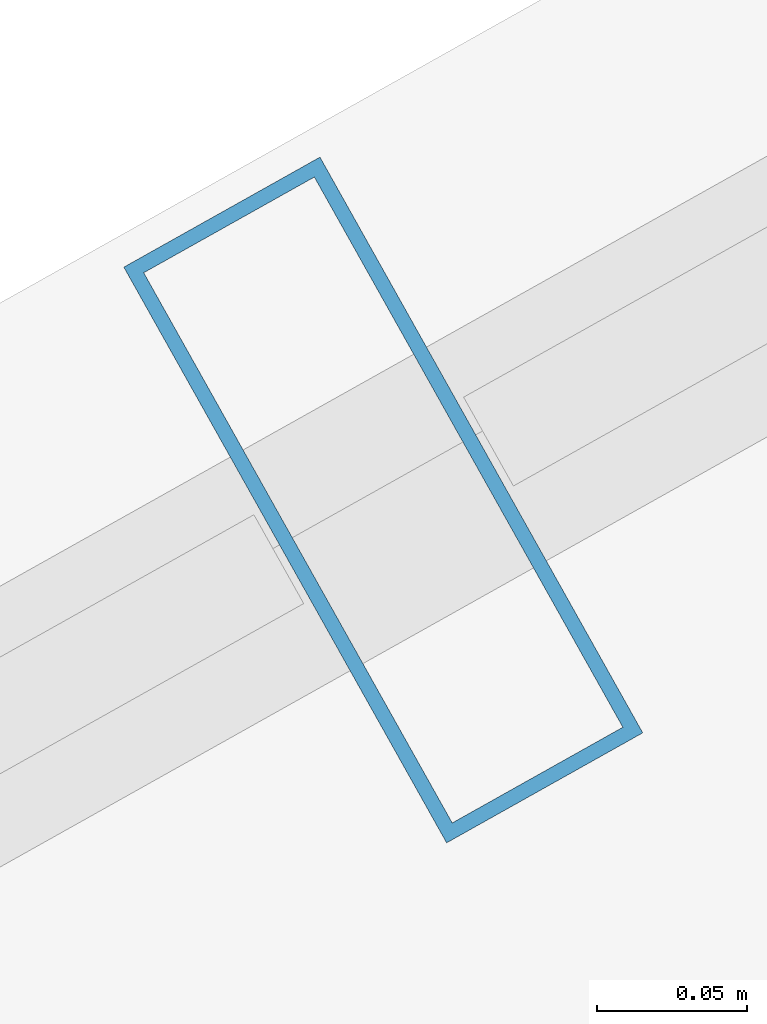
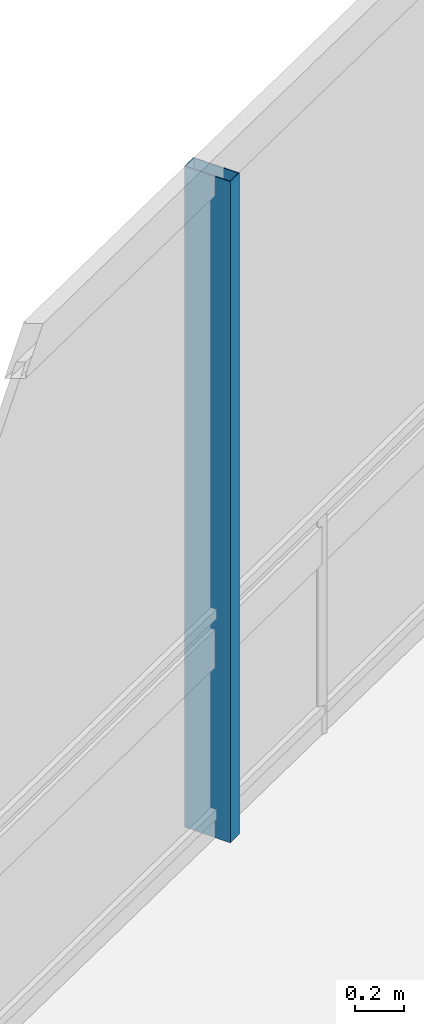
# One storey, part 9 of 18: 1 member, 1 element without a shape of its own.
"""IFC4 building model written with IfcOpenShell, lengths in metres."""

from ifc_helpers import new_model, si_unit, direction, frame, origin, origin_2d, place, context, subcontext, project, spatial, hollow_rectangle, extrude, material, layer, layer_set, material_profile, profile_set, type_object, element, aggregate, save


model = new_model("IFC4")

# Units and contexts
model_context = context("Model", 3, precision=1e-05, world=origin(), true_north=direction((0.0, 1.0)))
body_context = subcontext(model_context, "Body", "Model", "MODEL_VIEW")
ifc_project = project(units=[si_unit("LENGTHUNIT", "METRE"), si_unit("AREAUNIT", "SQUARE_METRE"), si_unit("VOLUMEUNIT", "CUBIC_METRE"), si_unit("PLANEANGLEUNIT", "RADIAN"), si_unit("MASSUNIT", "GRAM", prefix="KILO")], contexts=[model_context])

# Site, building, storey
site_placement = place(None, origin())
site = spatial("IfcSite", under=ifc_project, at=site_placement, CompositionType="ELEMENT")
building_placement = place(site_placement, origin())
building = spatial("IfcBuilding", under=site, at=building_placement, Name="Qarnah Convention Tower", CompositionType="ELEMENT")
storey_placement = place(building_placement, frame((0.0, 0.0, 177.0)))
storey = spatial("IfcBuildingStorey", under=building, at=storey_placement, Name="L47", CompositionType="ELEMENT", Elevation=177.0)

# Curtain wall, member
ifc_material_1 = material(Name="Tempered Low-E dark glass", Category="glass")
ifc_layer = layer(ifc_material_1, 0.174072265625)
ifc_layer_set = layer_set([ifc_layer], Name="Tempered Low-E dark glass")
curtain_wall_type = type_object("IfcCurtainWallType", Name="CWS-04", PredefinedType="NOTDEFINED", material=ifc_layer_set)
curtain_wall_placement = place(storey_placement, origin())
curtain_wall = element("IfcCurtainWall", 1, at=curtain_wall_placement, inside=storey, type_object=curtain_wall_type, Name="L47 unitised curtain wall CW-L47-F2", PredefinedType="NOTDEFINED")
ifc_material_2 = material(Name="Black anodised aluminium", Category="aluminium")
ifc_material_profile = material_profile(ifc_material_2, hollow_rectangle(XDim=0.074951171875, YDim=0.219970703125, WallThickness=0.0048828125, at=origin_2d()), Name="MUL-75X220")
ifc_profile_set = profile_set([ifc_material_profile], Name="Black anodised aluminium")
member_type = type_object("IfcMemberType", Name="MUL-T4", PredefinedType="MULLION", material=ifc_profile_set)
member_placement = place(storey_placement, frame((26.83154296875, 39.0986328125, 0.0), z_axis=(0.0, 0.0, 1.0), x_axis=(0.872234676791, 0.489087587865, 0.0)))
member = element("IfcMember", 2, at=member_placement, type_object=member_type, Name="CW-L47-F2 mullion 3", PredefinedType="MULLION", context=body_context, shape_type="SweptSolid", body=[
    extrude(hollow_rectangle(XDim=0.074951171875, YDim=0.219970703125, WallThickness=0.0048828125, at=origin_2d()), origin(), (0.0, 0.0, 1.0), 3.320068359375),
])
aggregate(curtain_wall, [member])

save(model, "model.ifc")
